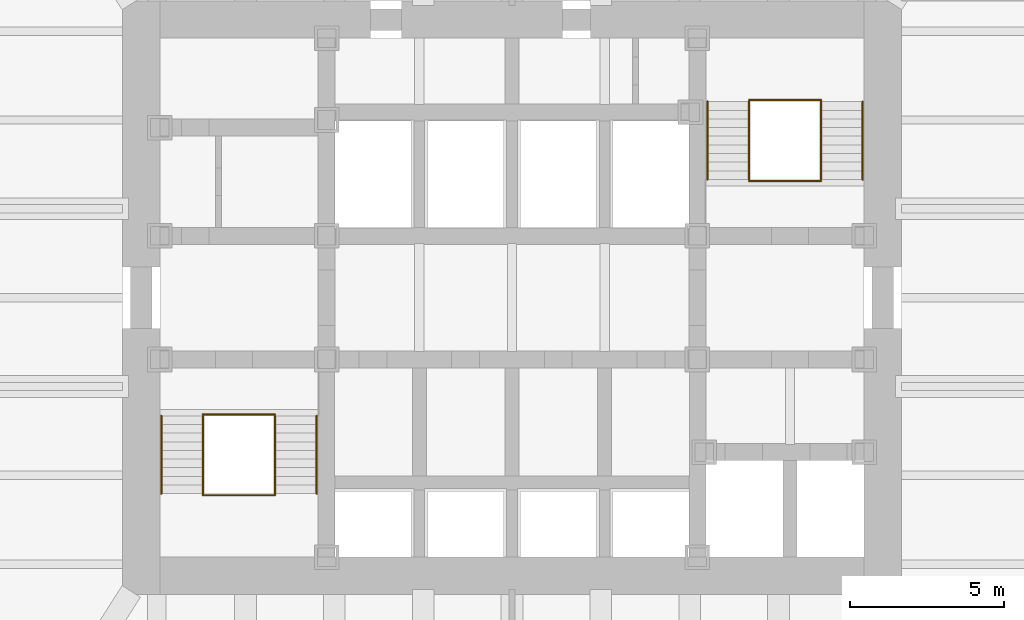
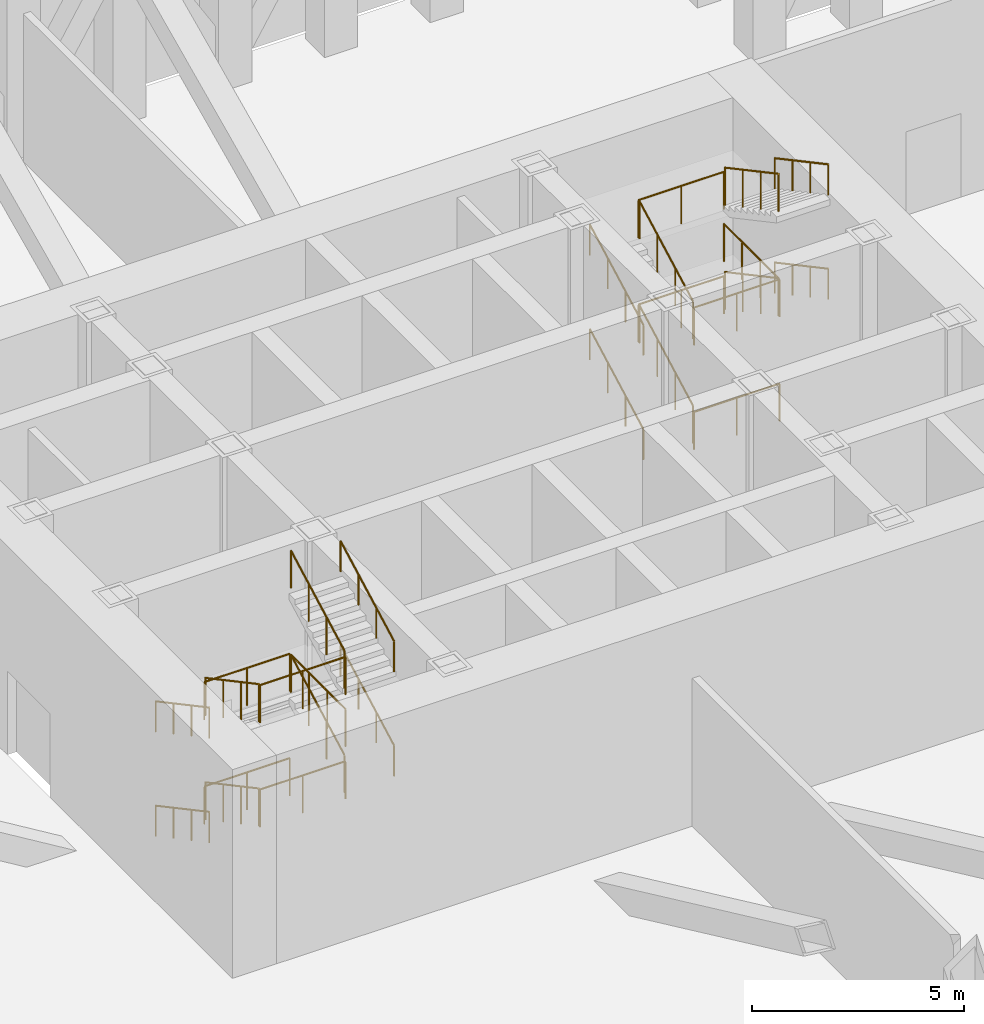
# One storey, part 13 of 13: 26 railings.
"""IFC4 building model written with IfcOpenShell, lengths in metres."""

from ifc_helpers import new_model, si_unit, direction, frame, origin, origin_2d, place, context, subcontext, project, spatial, circle, extrude, material, type_object, element, save


model = new_model("IFC4")

# Units and contexts
model_context = context("Model", 3, precision=1e-05, world=origin(), true_north=direction((0.0, 1.0)))
body_context = subcontext(model_context, "Body", "Model", "MODEL_VIEW")
ifc_project = project(units=[si_unit("LENGTHUNIT", "METRE"), si_unit("AREAUNIT", "SQUARE_METRE"), si_unit("VOLUMEUNIT", "CUBIC_METRE"), si_unit("PLANEANGLEUNIT", "RADIAN"), si_unit("MASSUNIT", "GRAM", prefix="KILO")], contexts=[model_context])

# Site, building, storey
site_placement = place(None, origin())
site = spatial("IfcSite", under=ifc_project, at=site_placement, CompositionType="ELEMENT")
building_placement = place(site_placement, origin())
building = spatial("IfcBuilding", under=site, at=building_placement, Name="Daluyong Arena Tower", CompositionType="ELEMENT")
storey_placement = place(building_placement, frame((0.0, 0.0, 175.300048828125)))
storey = spatial("IfcBuildingStorey", under=building, at=storey_placement, Name="L39", CompositionType="ELEMENT", Elevation=175.300048828125)

# Railings
ifc_material_1 = material(Name="Stainless steel handrail", Category="steel")
railing_type_1 = type_object("IfcRailingType", Name="Stair handrail", PredefinedType="HANDRAIL", material=ifc_material_1)
railing_1_placement = place(storey_placement, frame((44.64990234375, 76.175048828125, 0.14990234375)))
element("IfcRailing", 1, at=railing_1_placement, inside=storey, type_object=railing_type_1, Name="exit stair A handrail L39", PredefinedType="HANDRAIL", context=body_context, shape_type="SweptSolid", body=[
    extrude(circle(Radius=0.02392578125, at=origin_2d()), frame((0.0, 0.0, 0.8759765625), z_axis=(0.0, -0.881467274426, 0.472245110209), x_axis=(1.0, 0.0, 0.0)), (0.0, 0.0, 1.0), 2.85888671875),
    extrude(circle(Radius=0.02099609375, at=origin_2d()), origin(), (0.0, 0.0, 1.0), 0.851806640625),
    extrude(circle(Radius=0.02099609375, at=origin_2d()), frame((0.0, -0.840087890625, 0.449951171875)), (0.0, 0.0, 1.0), 0.851806640625),
    extrude(circle(Radius=0.02099609375, at=origin_2d()), frame((0.0, -1.679931640625, 0.900146484375)), (0.0, 0.0, 1.0), 0.851806640625),
    extrude(circle(Radius=0.02099609375, at=origin_2d()), frame((0.0, -2.52001953125, 1.35009765625)), (0.0, 0.0, 1.0), 0.851806640625),
])
railing_2_placement = place(storey_placement, frame((49.675048828125, 73.655029296875, 1.64990234375)))
element("IfcRailing", 2, at=railing_2_placement, inside=storey, type_object=railing_type_1, Name="exit stair A handrail L39", PredefinedType="HANDRAIL", context=body_context, shape_type="SweptSolid", body=[
    extrude(circle(Radius=0.02392578125, at=origin_2d()), frame((0.0, 0.0, 0.8759765625), z_axis=(0.0, 0.881467274426, 0.472245110209), x_axis=(-1.0, 0.0, 0.0)), (0.0, 0.0, 1.0), 2.85888671875),
    extrude(circle(Radius=0.02099609375, at=origin_2d()), origin(), (0.0, 0.0, 1.0), 0.851806640625),
    extrude(circle(Radius=0.02099609375, at=origin_2d()), frame((0.0, 0.840087890625, 0.449951171875)), (0.0, 0.0, 1.0), 0.851806640625),
    extrude(circle(Radius=0.02099609375, at=origin_2d()), frame((0.0, 1.679931640625, 0.900146484375)), (0.0, 0.0, 1.0), 0.851806640625),
    extrude(circle(Radius=0.02099609375, at=origin_2d()), frame((0.0, 2.52001953125, 1.35009765625)), (0.0, 0.0, 1.0), 0.851806640625),
])
railing_3_placement = place(storey_placement, frame((44.64990234375, 76.175048828125, 3.14990234375)))
element("IfcRailing", 3, at=railing_3_placement, inside=storey, type_object=railing_type_1, Name="exit stair A handrail L39", PredefinedType="HANDRAIL", context=body_context, shape_type="SweptSolid", body=[
    extrude(circle(Radius=0.02392578125, at=origin_2d()), frame((0.0, 0.0, 0.8759765625), z_axis=(0.0, -0.881467274426, 0.472245110209), x_axis=(1.0, 0.0, 0.0)), (0.0, 0.0, 1.0), 2.85888671875),
    extrude(circle(Radius=0.02099609375, at=origin_2d()), origin(), (0.0, 0.0, 1.0), 0.851806640625),
    extrude(circle(Radius=0.02099609375, at=origin_2d()), frame((0.0, -0.840087890625, 0.449951171875)), (0.0, 0.0, 1.0), 0.851806640625),
    extrude(circle(Radius=0.02099609375, at=origin_2d()), frame((0.0, -1.679931640625, 0.900146484375)), (0.0, 0.0, 1.0), 0.851806640625),
    extrude(circle(Radius=0.02099609375, at=origin_2d()), frame((0.0, -2.52001953125, 1.35009765625)), (0.0, 0.0, 1.0), 0.851806640625),
])
for number, where, name in (
    (4, (49.675048828125, 73.655029296875, 4.64990234375), "exit stair A handrail L39"),
    (5, (62.324951171875, 83.824951171875, 0.14990234375), "exit stair B handrail L39"),
):
    element("IfcRailing", number, at=place(storey_placement, frame(where)), inside=storey, type_object=railing_type_1, Name=name, PredefinedType="HANDRAIL", context=body_context, shape_type="SweptSolid", body=[
        extrude(circle(Radius=0.02392578125, at=origin_2d()), frame((0.0, 0.0, 0.8759765625), z_axis=(0.0, 0.881467274426, 0.472245110209), x_axis=(-1.0, 0.0, 0.0)), (0.0, 0.0, 1.0), 2.85888671875),
        extrude(circle(Radius=0.02099609375, at=origin_2d()), origin(), (0.0, 0.0, 1.0), 0.851806640625),
        extrude(circle(Radius=0.02099609375, at=origin_2d()), frame((0.0, 0.840087890625, 0.449951171875)), (0.0, 0.0, 1.0), 0.851806640625),
        extrude(circle(Radius=0.02099609375, at=origin_2d()), frame((0.0, 1.679931640625, 0.900146484375)), (0.0, 0.0, 1.0), 0.851806640625),
        extrude(circle(Radius=0.02099609375, at=origin_2d()), frame((0.0, 2.52001953125, 1.35009765625)), (0.0, 0.0, 1.0), 0.851806640625),
    ])
railing_4_placement = place(storey_placement, frame((67.35009765625, 86.344970703125, 1.64990234375)))
element("IfcRailing", 6, at=railing_4_placement, inside=storey, type_object=railing_type_1, Name="exit stair B handrail L39", PredefinedType="HANDRAIL", context=body_context, shape_type="SweptSolid", body=[
    extrude(circle(Radius=0.02392578125, at=origin_2d()), frame((0.0, 0.0, 0.8759765625), z_axis=(0.0, -0.881467274426, 0.472245110209), x_axis=(1.0, 0.0, 0.0)), (0.0, 0.0, 1.0), 2.85888671875),
    extrude(circle(Radius=0.02099609375, at=origin_2d()), origin(), (0.0, 0.0, 1.0), 0.851806640625),
    extrude(circle(Radius=0.02099609375, at=origin_2d()), frame((0.0, -0.840087890625, 0.449951171875)), (0.0, 0.0, 1.0), 0.851806640625),
    extrude(circle(Radius=0.02099609375, at=origin_2d()), frame((0.0, -1.679931640625, 0.900146484375)), (0.0, 0.0, 1.0), 0.851806640625),
    extrude(circle(Radius=0.02099609375, at=origin_2d()), frame((0.0, -2.52001953125, 1.35009765625)), (0.0, 0.0, 1.0), 0.851806640625),
])
railing_5_placement = place(storey_placement, frame((62.324951171875, 83.824951171875, 3.14990234375)))
element("IfcRailing", 7, at=railing_5_placement, inside=storey, type_object=railing_type_1, Name="exit stair B handrail L39", PredefinedType="HANDRAIL", context=body_context, shape_type="SweptSolid", body=[
    extrude(circle(Radius=0.02392578125, at=origin_2d()), frame((0.0, 0.0, 0.8759765625), z_axis=(0.0, 0.881467274426, 0.472245110209), x_axis=(-1.0, 0.0, 0.0)), (0.0, 0.0, 1.0), 2.85888671875),
    extrude(circle(Radius=0.02099609375, at=origin_2d()), origin(), (0.0, 0.0, 1.0), 0.851806640625),
    extrude(circle(Radius=0.02099609375, at=origin_2d()), frame((0.0, 0.840087890625, 0.449951171875)), (0.0, 0.0, 1.0), 0.851806640625),
    extrude(circle(Radius=0.02099609375, at=origin_2d()), frame((0.0, 1.679931640625, 0.900146484375)), (0.0, 0.0, 1.0), 0.851806640625),
    extrude(circle(Radius=0.02099609375, at=origin_2d()), frame((0.0, 2.52001953125, 1.35009765625)), (0.0, 0.0, 1.0), 0.851806640625),
])
railing_6_placement = place(storey_placement, frame((67.35009765625, 86.344970703125, 4.64990234375)))
element("IfcRailing", 8, at=railing_6_placement, inside=storey, type_object=railing_type_1, Name="exit stair B handrail L39", PredefinedType="HANDRAIL", context=body_context, shape_type="SweptSolid", body=[
    extrude(circle(Radius=0.02392578125, at=origin_2d()), frame((0.0, 0.0, 0.8759765625), z_axis=(0.0, -0.881467274426, 0.472245110209), x_axis=(1.0, 0.0, 0.0)), (0.0, 0.0, 1.0), 2.85888671875),
    extrude(circle(Radius=0.02099609375, at=origin_2d()), origin(), (0.0, 0.0, 1.0), 0.851806640625),
    extrude(circle(Radius=0.02099609375, at=origin_2d()), frame((0.0, -0.840087890625, 0.449951171875)), (0.0, 0.0, 1.0), 0.851806640625),
    extrude(circle(Radius=0.02099609375, at=origin_2d()), frame((0.0, -1.679931640625, 0.900146484375)), (0.0, 0.0, 1.0), 0.851806640625),
    extrude(circle(Radius=0.02099609375, at=origin_2d()), frame((0.0, -2.52001953125, 1.35009765625)), (0.0, 0.0, 1.0), 0.851806640625),
])
ifc_material_2 = material(Name="Steel balustrade", Category="steel")
railing_type_2 = type_object("IfcRailingType", Name="Stair well guard 1100", PredefinedType="GUARDRAIL", material=ifc_material_2)
railing_7_placement = place(storey_placement, frame((46.0, 76.175048828125, 0.14990234375)))
element("IfcRailing", 9, at=railing_7_placement, inside=storey, type_object=railing_type_2, Name="exit stair A well guard L39", PredefinedType="GUARDRAIL", context=body_context, shape_type="SweptSolid", body=[
    extrude(circle(Radius=0.02392578125, at=origin_2d()), frame((0.0, 0.0, 1.076171875), z_axis=(0.0, -0.881467274426, 0.472245110209), x_axis=(1.0, 0.0, 0.0)), (0.0, 0.0, 1.0), 2.85888671875),
    extrude(circle(Radius=0.02099609375, at=origin_2d()), origin(), (0.0, 0.0, 1.0), 1.052001953125),
    extrude(circle(Radius=0.02099609375, at=origin_2d()), frame((0.0, -0.840087890625, 0.449951171875)), (0.0, 0.0, 1.0), 1.052001953125),
    extrude(circle(Radius=0.02099609375, at=origin_2d()), frame((0.0, -1.679931640625, 0.900146484375)), (0.0, 0.0, 1.0), 1.052001953125),
    extrude(circle(Radius=0.02099609375, at=origin_2d()), frame((0.0, -2.52001953125, 1.35009765625)), (0.0, 0.0, 1.0), 1.052001953125),
])
railing_8_placement = place(storey_placement, frame((48.324951171875, 73.655029296875, 1.64990234375)))
element("IfcRailing", 10, at=railing_8_placement, inside=storey, type_object=railing_type_2, Name="exit stair A well guard L39", PredefinedType="GUARDRAIL", context=body_context, shape_type="SweptSolid", body=[
    extrude(circle(Radius=0.02392578125, at=origin_2d()), frame((0.0, 0.0, 1.076171875), z_axis=(0.0, 0.881467274426, 0.472245110209), x_axis=(-1.0, 0.0, 0.0)), (0.0, 0.0, 1.0), 2.85888671875),
    extrude(circle(Radius=0.02099609375, at=origin_2d()), origin(), (0.0, 0.0, 1.0), 1.052001953125),
    extrude(circle(Radius=0.02099609375, at=origin_2d()), frame((0.0, 0.840087890625, 0.449951171875)), (0.0, 0.0, 1.0), 1.052001953125),
    extrude(circle(Radius=0.02099609375, at=origin_2d()), frame((0.0, 1.679931640625, 0.900146484375)), (0.0, 0.0, 1.0), 1.052001953125),
    extrude(circle(Radius=0.02099609375, at=origin_2d()), frame((0.0, 2.52001953125, 1.35009765625)), (0.0, 0.0, 1.0), 1.052001953125),
])
railing_9_placement = place(storey_placement, frame((46.0, 76.175048828125, 3.14990234375)))
element("IfcRailing", 11, at=railing_9_placement, inside=storey, type_object=railing_type_2, Name="exit stair A well guard L39", PredefinedType="GUARDRAIL", context=body_context, shape_type="SweptSolid", body=[
    extrude(circle(Radius=0.02392578125, at=origin_2d()), frame((0.0, 0.0, 1.076171875), z_axis=(0.0, -0.881467274426, 0.472245110209), x_axis=(1.0, 0.0, 0.0)), (0.0, 0.0, 1.0), 2.85888671875),
    extrude(circle(Radius=0.02099609375, at=origin_2d()), origin(), (0.0, 0.0, 1.0), 1.052001953125),
    extrude(circle(Radius=0.02099609375, at=origin_2d()), frame((0.0, -0.840087890625, 0.449951171875)), (0.0, 0.0, 1.0), 1.052001953125),
    extrude(circle(Radius=0.02099609375, at=origin_2d()), frame((0.0, -1.679931640625, 0.900146484375)), (0.0, 0.0, 1.0), 1.052001953125),
    extrude(circle(Radius=0.02099609375, at=origin_2d()), frame((0.0, -2.52001953125, 1.35009765625)), (0.0, 0.0, 1.0), 1.052001953125),
])
railing_10_placement = place(storey_placement, frame((48.324951171875, 73.655029296875, 4.64990234375)))
element("IfcRailing", 12, at=railing_10_placement, inside=storey, type_object=railing_type_2, Name="exit stair A well guard L39", PredefinedType="GUARDRAIL", context=body_context, shape_type="SweptSolid", body=[
    extrude(circle(Radius=0.02392578125, at=origin_2d()), frame((0.0, 0.0, 1.076171875), z_axis=(0.0, 0.881467274426, 0.472245110209), x_axis=(-1.0, 0.0, 0.0)), (0.0, 0.0, 1.0), 2.85888671875),
    extrude(circle(Radius=0.02099609375, at=origin_2d()), origin(), (0.0, 0.0, 1.0), 1.052001953125),
    extrude(circle(Radius=0.02099609375, at=origin_2d()), frame((0.0, 0.840087890625, 0.449951171875)), (0.0, 0.0, 1.0), 1.052001953125),
    extrude(circle(Radius=0.02099609375, at=origin_2d()), frame((0.0, 1.679931640625, 0.900146484375)), (0.0, 0.0, 1.0), 1.052001953125),
    extrude(circle(Radius=0.02099609375, at=origin_2d()), frame((0.0, 2.52001953125, 1.35009765625)), (0.0, 0.0, 1.0), 1.052001953125),
])
for number, where, name in (
    (13, (46.0, 73.60498046875, 1.5), "exit stair A landing guard L39"),
    (14, (46.0, 76.22509765625, 3.0), "exit stair A landing guard L39"),
    (15, (46.0, 73.60498046875, 4.5), "exit stair A landing guard L39"),
):
    element("IfcRailing", number, at=place(storey_placement, frame(where)), inside=storey, type_object=railing_type_2, Name=name, PredefinedType="GUARDRAIL", context=body_context, shape_type="SweptSolid", body=[
        extrude(circle(Radius=0.02392578125, at=origin_2d()), frame((0.0, 0.0, 1.076171875), z_axis=(1.0, 0.0, 0.0), x_axis=(0.0, 1.0, 0.0)), (0.0, 0.0, 1.0), 2.324951171875),
        extrude(circle(Radius=0.02099609375, at=origin_2d()), origin(), (0.0, 0.0, 1.0), 1.052001953125),
        extrude(circle(Radius=0.02099609375, at=origin_2d()), frame((1.16259765625, 0.0, 0.0)), (0.0, 0.0, 1.0), 1.052001953125),
        extrude(circle(Radius=0.02099609375, at=origin_2d()), frame((2.324951171875, 0.0, 0.0)), (0.0, 0.0, 1.0), 1.052001953125),
    ])
railing_11_placement = place(storey_placement, frame((48.324951171875, 73.60498046875, 3.0)))
element("IfcRailing", 16, at=railing_11_placement, inside=storey, type_object=railing_type_2, Name="exit stair A landing guard L39", PredefinedType="GUARDRAIL", context=body_context, shape_type="SweptSolid", body=[
    extrude(circle(Radius=0.02392578125, at=origin_2d()), frame((0.0, 0.0, 1.076171875), z_axis=(0.0, 1.0, 0.0), x_axis=(-1.0, 0.0, 0.0)), (0.0, 0.0, 1.0), 2.570068359375),
    extrude(circle(Radius=0.02099609375, at=origin_2d()), origin(), (0.0, 0.0, 1.0), 1.052001953125),
    extrude(circle(Radius=0.02099609375, at=origin_2d()), frame((0.0, 0.856689453125, 0.0)), (0.0, 0.0, 1.0), 1.052001953125),
    extrude(circle(Radius=0.02099609375, at=origin_2d()), frame((0.0, 1.71337890625, 0.0)), (0.0, 0.0, 1.0), 1.052001953125),
    extrude(circle(Radius=0.02099609375, at=origin_2d()), frame((0.0, 2.570068359375, 0.0)), (0.0, 0.0, 1.0), 1.052001953125),
])
railing_12_placement = place(storey_placement, frame((46.0, 76.22509765625, 0.0)))
element("IfcRailing", 17, at=railing_12_placement, inside=storey, type_object=railing_type_2, Name="exit stair A floor landing guard L39", PredefinedType="GUARDRAIL", context=body_context, shape_type="SweptSolid", body=[
    extrude(circle(Radius=0.02392578125, at=origin_2d()), frame((0.0, 0.0, 1.076171875), z_axis=(1.0, 0.0, 0.0), x_axis=(0.0, 1.0, 0.0)), (0.0, 0.0, 1.0), 2.324951171875),
    extrude(circle(Radius=0.02099609375, at=origin_2d()), origin(), (0.0, 0.0, 1.0), 1.052001953125),
    extrude(circle(Radius=0.02099609375, at=origin_2d()), frame((1.16259765625, 0.0, 0.0)), (0.0, 0.0, 1.0), 1.052001953125),
    extrude(circle(Radius=0.02099609375, at=origin_2d()), frame((2.324951171875, 0.0, 0.0)), (0.0, 0.0, 1.0), 1.052001953125),
])
railing_13_placement = place(storey_placement, frame((63.675048828125, 83.824951171875, 0.14990234375)))
element("IfcRailing", 18, at=railing_13_placement, inside=storey, type_object=railing_type_2, Name="exit stair B well guard L39", PredefinedType="GUARDRAIL", context=body_context, shape_type="SweptSolid", body=[
    extrude(circle(Radius=0.02392578125, at=origin_2d()), frame((0.0, 0.0, 1.076171875), z_axis=(0.0, 0.881467274426, 0.472245110209), x_axis=(-1.0, 0.0, 0.0)), (0.0, 0.0, 1.0), 2.85888671875),
    extrude(circle(Radius=0.02099609375, at=origin_2d()), origin(), (0.0, 0.0, 1.0), 1.052001953125),
    extrude(circle(Radius=0.02099609375, at=origin_2d()), frame((0.0, 0.840087890625, 0.449951171875)), (0.0, 0.0, 1.0), 1.052001953125),
    extrude(circle(Radius=0.02099609375, at=origin_2d()), frame((0.0, 1.679931640625, 0.900146484375)), (0.0, 0.0, 1.0), 1.052001953125),
    extrude(circle(Radius=0.02099609375, at=origin_2d()), frame((0.0, 2.52001953125, 1.35009765625)), (0.0, 0.0, 1.0), 1.052001953125),
])
railing_14_placement = place(storey_placement, frame((66.0, 86.344970703125, 1.64990234375)))
element("IfcRailing", 19, at=railing_14_placement, inside=storey, type_object=railing_type_2, Name="exit stair B well guard L39", PredefinedType="GUARDRAIL", context=body_context, shape_type="SweptSolid", body=[
    extrude(circle(Radius=0.02392578125, at=origin_2d()), frame((0.0, 0.0, 1.076171875), z_axis=(0.0, -0.881467274426, 0.472245110209), x_axis=(1.0, 0.0, 0.0)), (0.0, 0.0, 1.0), 2.85888671875),
    extrude(circle(Radius=0.02099609375, at=origin_2d()), origin(), (0.0, 0.0, 1.0), 1.052001953125),
    extrude(circle(Radius=0.02099609375, at=origin_2d()), frame((0.0, -0.840087890625, 0.449951171875)), (0.0, 0.0, 1.0), 1.052001953125),
    extrude(circle(Radius=0.02099609375, at=origin_2d()), frame((0.0, -1.679931640625, 0.900146484375)), (0.0, 0.0, 1.0), 1.052001953125),
    extrude(circle(Radius=0.02099609375, at=origin_2d()), frame((0.0, -2.52001953125, 1.35009765625)), (0.0, 0.0, 1.0), 1.052001953125),
])
railing_15_placement = place(storey_placement, frame((63.675048828125, 83.824951171875, 3.14990234375)))
element("IfcRailing", 20, at=railing_15_placement, inside=storey, type_object=railing_type_2, Name="exit stair B well guard L39", PredefinedType="GUARDRAIL", context=body_context, shape_type="SweptSolid", body=[
    extrude(circle(Radius=0.02392578125, at=origin_2d()), frame((0.0, 0.0, 1.076171875), z_axis=(0.0, 0.881467274426, 0.472245110209), x_axis=(-1.0, 0.0, 0.0)), (0.0, 0.0, 1.0), 2.85888671875),
    extrude(circle(Radius=0.02099609375, at=origin_2d()), origin(), (0.0, 0.0, 1.0), 1.052001953125),
    extrude(circle(Radius=0.02099609375, at=origin_2d()), frame((0.0, 0.840087890625, 0.449951171875)), (0.0, 0.0, 1.0), 1.052001953125),
    extrude(circle(Radius=0.02099609375, at=origin_2d()), frame((0.0, 1.679931640625, 0.900146484375)), (0.0, 0.0, 1.0), 1.052001953125),
    extrude(circle(Radius=0.02099609375, at=origin_2d()), frame((0.0, 2.52001953125, 1.35009765625)), (0.0, 0.0, 1.0), 1.052001953125),
])
railing_16_placement = place(storey_placement, frame((66.0, 86.344970703125, 4.64990234375)))
element("IfcRailing", 21, at=railing_16_placement, inside=storey, type_object=railing_type_2, Name="exit stair B well guard L39", PredefinedType="GUARDRAIL", context=body_context, shape_type="SweptSolid", body=[
    extrude(circle(Radius=0.02392578125, at=origin_2d()), frame((0.0, 0.0, 1.076171875), z_axis=(0.0, -0.881467274426, 0.472245110209), x_axis=(1.0, 0.0, 0.0)), (0.0, 0.0, 1.0), 2.85888671875),
    extrude(circle(Radius=0.02099609375, at=origin_2d()), origin(), (0.0, 0.0, 1.0), 1.052001953125),
    extrude(circle(Radius=0.02099609375, at=origin_2d()), frame((0.0, -0.840087890625, 0.449951171875)), (0.0, 0.0, 1.0), 1.052001953125),
    extrude(circle(Radius=0.02099609375, at=origin_2d()), frame((0.0, -1.679931640625, 0.900146484375)), (0.0, 0.0, 1.0), 1.052001953125),
    extrude(circle(Radius=0.02099609375, at=origin_2d()), frame((0.0, -2.52001953125, 1.35009765625)), (0.0, 0.0, 1.0), 1.052001953125),
])
for number, where, name in (
    (22, (63.675048828125, 86.39501953125, 1.5), "exit stair B landing guard L39"),
    (23, (63.675048828125, 83.77490234375, 3.0), "exit stair B landing guard L39"),
    (24, (63.675048828125, 86.39501953125, 4.5), "exit stair B landing guard L39"),
):
    element("IfcRailing", number, at=place(storey_placement, frame(where)), inside=storey, type_object=railing_type_2, Name=name, PredefinedType="GUARDRAIL", context=body_context, shape_type="SweptSolid", body=[
        extrude(circle(Radius=0.02392578125, at=origin_2d()), frame((0.0, 0.0, 1.076171875), z_axis=(1.0, 0.0, 0.0), x_axis=(0.0, 1.0, 0.0)), (0.0, 0.0, 1.0), 2.324951171875),
        extrude(circle(Radius=0.02099609375, at=origin_2d()), origin(), (0.0, 0.0, 1.0), 1.052001953125),
        extrude(circle(Radius=0.02099609375, at=origin_2d()), frame((1.16259765625, 0.0, 0.0)), (0.0, 0.0, 1.0), 1.052001953125),
        extrude(circle(Radius=0.02099609375, at=origin_2d()), frame((2.324951171875, 0.0, 0.0)), (0.0, 0.0, 1.0), 1.052001953125),
    ])
railing_17_placement = place(storey_placement, frame((66.0, 86.39501953125, 3.0)))
element("IfcRailing", 25, at=railing_17_placement, inside=storey, type_object=railing_type_2, Name="exit stair B landing guard L39", PredefinedType="GUARDRAIL", context=body_context, shape_type="SweptSolid", body=[
    extrude(circle(Radius=0.02392578125, at=origin_2d()), frame((0.0, 0.0, 1.076171875), z_axis=(0.0, -1.0, 0.0), x_axis=(1.0, 0.0, 0.0)), (0.0, 0.0, 1.0), 2.570068359375),
    extrude(circle(Radius=0.02099609375, at=origin_2d()), origin(), (0.0, 0.0, 1.0), 1.052001953125),
    extrude(circle(Radius=0.02099609375, at=origin_2d()), frame((0.0, -0.856689453125, 0.0)), (0.0, 0.0, 1.0), 1.052001953125),
    extrude(circle(Radius=0.02099609375, at=origin_2d()), frame((0.0, -1.71337890625, 0.0)), (0.0, 0.0, 1.0), 1.052001953125),
    extrude(circle(Radius=0.02099609375, at=origin_2d()), frame((0.0, -2.570068359375, 0.0)), (0.0, 0.0, 1.0), 1.052001953125),
])
railing_18_placement = place(storey_placement, frame((63.675048828125, 83.77490234375, 0.0)))
element("IfcRailing", 26, at=railing_18_placement, inside=storey, type_object=railing_type_2, Name="exit stair B floor landing guard L39", PredefinedType="GUARDRAIL", context=body_context, shape_type="SweptSolid", body=[
    extrude(circle(Radius=0.02392578125, at=origin_2d()), frame((0.0, 0.0, 1.076171875), z_axis=(1.0, 0.0, 0.0), x_axis=(0.0, 1.0, 0.0)), (0.0, 0.0, 1.0), 2.324951171875),
    extrude(circle(Radius=0.02099609375, at=origin_2d()), origin(), (0.0, 0.0, 1.0), 1.052001953125),
    extrude(circle(Radius=0.02099609375, at=origin_2d()), frame((1.16259765625, 0.0, 0.0)), (0.0, 0.0, 1.0), 1.052001953125),
    extrude(circle(Radius=0.02099609375, at=origin_2d()), frame((2.324951171875, 0.0, 0.0)), (0.0, 0.0, 1.0), 1.052001953125),
])

save(model, "model.ifc")
